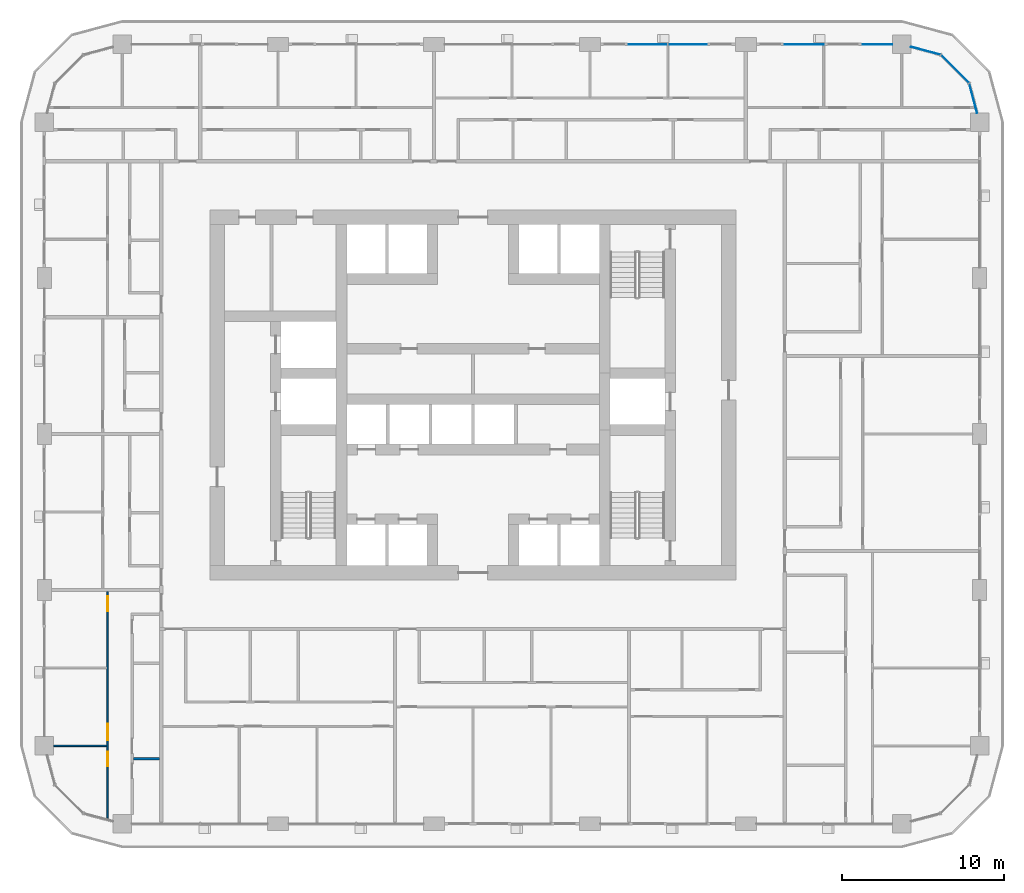
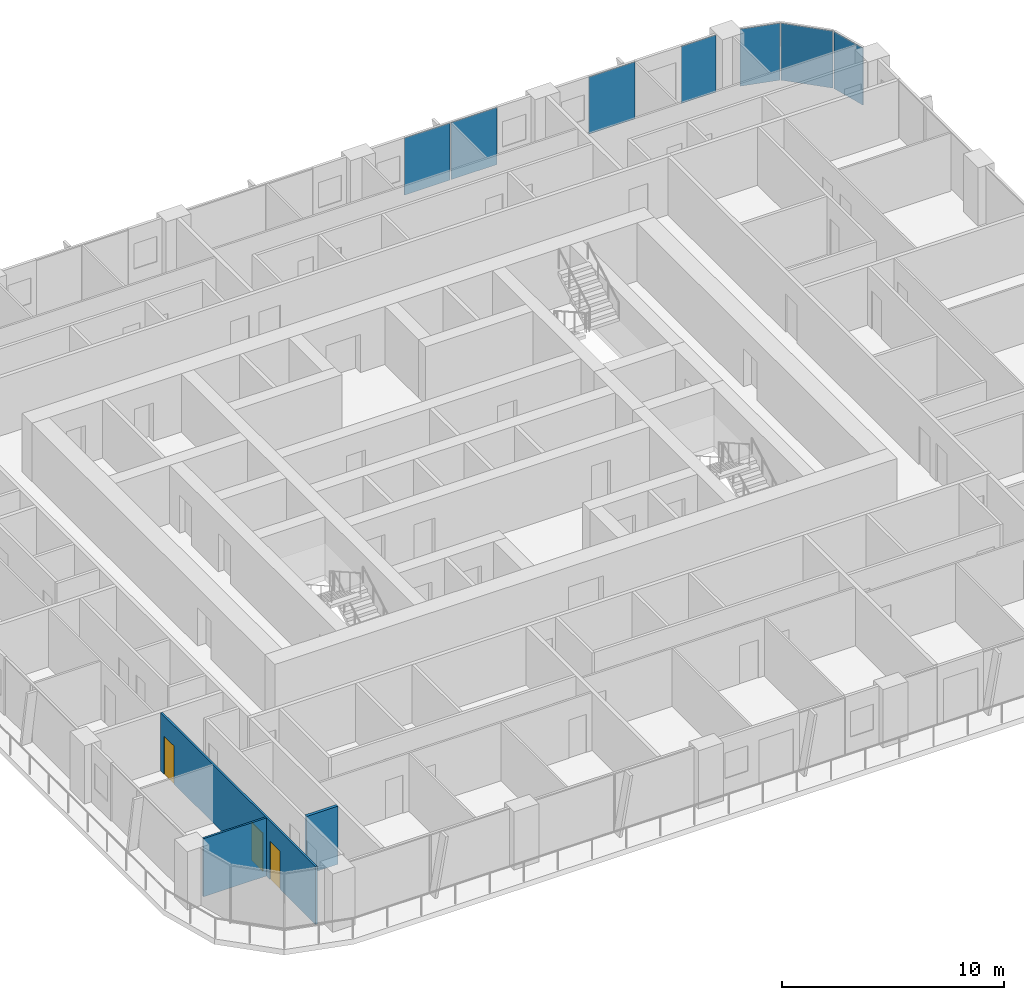
# One storey, part 8 of 22: 7 plates, 3 doors, 3 walls, 3 openings, 3 elements without a shape of their own.
"""IFC4 building model written with IfcOpenShell, lengths in metres."""

from ifc_helpers import new_model, si_unit, direction, frame, frame_2d, origin, origin_2d, place, context, subcontext, project, spatial, rectangle, extrude, material, layer, layer_set, type_object, element, fill, aggregate, save


model = new_model("IFC4")

# Units and contexts
model_context = context("Model", 3, precision=1e-05, world=origin(), true_north=direction((0.0, 1.0)))
body_context = subcontext(model_context, "Body", "Model", "MODEL_VIEW")
ifc_project = project(units=[si_unit("LENGTHUNIT", "METRE"), si_unit("AREAUNIT", "SQUARE_METRE"), si_unit("VOLUMEUNIT", "CUBIC_METRE"), si_unit("PLANEANGLEUNIT", "RADIAN"), si_unit("MASSUNIT", "GRAM", prefix="KILO")], contexts=[model_context])

# Site, building, storey
site_placement = place(None, origin())
site = spatial("IfcSite", under=ifc_project, at=site_placement, CompositionType="ELEMENT")
building_placement = place(site_placement, origin())
building = spatial("IfcBuilding", under=site, at=building_placement, Name="Madar Terraces", CompositionType="ELEMENT")
storey_placement = place(building_placement, frame((0.0, 0.0, 62.800048828125)))
storey = spatial("IfcBuildingStorey", under=building, at=storey_placement, Name="L15", CompositionType="ELEMENT", Elevation=62.800048828125)

# Curtain wall, plates
ifc_material_1 = material(Name="Glass, ceramic frit dark grey, with black aluminium frame", Category="aluminium")
ifc_layer_1 = layer(ifc_material_1, 0.199951171875)
ifc_layer_set_1 = layer_set([ifc_layer_1], Name="Facade curtain wall, fritted glass")
curtain_wall_type = type_object("IfcCurtainWallType", Name="Facade curtain wall, fritted glass", PredefinedType="NOTDEFINED", material=ifc_layer_set_1)
curtain_wall_1_placement = place(storey_placement, origin())
curtain_wall_1 = element("IfcCurtainWall", 1, at=curtain_wall_1_placement, inside=storey, type_object=curtain_wall_type, Name="Outer skin curtain wall north bay 1", PredefinedType="NOTDEFINED")
ifc_material_2 = material(Name="Glass, ceramic frit dark grey", Category="glass")
ifc_layer_2 = layer(ifc_material_2, 0.028076171875)
ifc_layer_set_2 = layer_set([ifc_layer_2], Name="Facade glass panel 28")
plate_type = type_object("IfcPlateType", Name="Facade glass panel 28", PredefinedType="CURTAIN_PANEL", material=ifc_layer_set_2)
plate_1_placement = place(storey_placement, frame((56.112548828125, 48.0, 0.0), z_axis=(0.0, 0.0, 1.0), x_axis=(-1.0, 0.0, 0.0)))
plate_1 = element("IfcPlate", 2, at=plate_1_placement, type_object=plate_type, Name="Panel 1", PredefinedType="CURTAIN_PANEL", context=body_context, shape_type="SweptSolid", body=[
    extrude(rectangle(XDim=1.824951171875, YDim=0.028076171875, at=origin_2d()), origin(), (0.0, 0.0, 1.0), 3.139892578125),
])
plate_2_placement = place(storey_placement, frame((51.60009765625, 48.0, 0.0), z_axis=(0.0, 0.0, 1.0), x_axis=(-1.0, 0.0, 0.0)))
plate_2 = element("IfcPlate", 3, at=plate_2_placement, type_object=plate_type, Name="Panel 2", PredefinedType="CURTAIN_PANEL", context=body_context, shape_type="SweptSolid", body=[
    extrude(rectangle(XDim=2.39990234375, YDim=0.028076171875, at=origin_2d()), origin(), (0.0, 0.0, 1.0), 3.139892578125),
])
aggregate(curtain_wall_1, [plate_1, plate_2])

curtain_wall_2_placement = place(storey_placement, origin())
curtain_wall_2 = element("IfcCurtainWall", 4, at=curtain_wall_2_placement, inside=storey, type_object=curtain_wall_type, Name="Outer skin curtain wall north bay 2", PredefinedType="NOTDEFINED")
plate_3_placement = place(storey_placement, frame((44.4150390625, 48.0, 0.0), z_axis=(0.0, 0.0, 1.0), x_axis=(-1.0, 0.0, 0.0)))
plate_3 = element("IfcPlate", 5, at=plate_3_placement, type_object=plate_type, Name="Panel 1", PredefinedType="CURTAIN_PANEL", context=body_context, shape_type="SweptSolid", body=[
    extrude(rectangle(XDim=2.3701171875, YDim=0.028076171875, at=origin_2d()), origin(), (0.0, 0.0, 1.0), 3.139892578125),
])
plate_4_placement = place(storey_placement, frame((41.985107421875, 48.0, 0.0), z_axis=(0.0, 0.0, 1.0), x_axis=(-1.0, 0.0, 0.0)))
plate_4 = element("IfcPlate", 6, at=plate_4_placement, type_object=plate_type, Name="Panel 2", PredefinedType="CURTAIN_PANEL", context=body_context, shape_type="SweptSolid", body=[
    extrude(rectangle(XDim=2.3701171875, YDim=0.028076171875, at=origin_2d()), origin(), (0.0, 0.0, 1.0), 3.139892578125),
])
aggregate(curtain_wall_2, [plate_3, plate_4])

curtain_wall_3_placement = place(storey_placement, origin())
curtain_wall_3 = element("IfcCurtainWall", 7, at=curtain_wall_3_placement, inside=storey, type_object=curtain_wall_type, Name="Outer skin curtain wall north-east corner", PredefinedType="NOTDEFINED")
plate_5_placement = place(storey_placement, frame((62.00537109375, 44.673095703125, 0.0), z_axis=(0.0, 0.0, 1.0), x_axis=(-0.258819021888, 0.965925832509, 0.0)))
plate_5 = element("IfcPlate", 8, at=plate_5_placement, type_object=plate_type, Name="Panel 1", PredefinedType="CURTAIN_PANEL", context=body_context, shape_type="SweptSolid", body=[
    extrude(rectangle(XDim=1.859375, YDim=0.028076171875, at=origin_2d()), origin(), (0.0, 0.0, 1.0), 3.139892578125),
])
plate_6_placement = place(storey_placement, frame((60.87841796875, 46.478515625, 0.0), z_axis=(0.0, 0.0, 1.0), x_axis=(-0.707106781187, 0.707106781187, 0.0)))
plate_6 = element("IfcPlate", 9, at=plate_6_placement, type_object=plate_type, Name="Panel 2", PredefinedType="CURTAIN_PANEL", context=body_context, shape_type="SweptSolid", body=[
    extrude(rectangle(XDim=2.424560546875, YDim=0.028076171875, at=origin_2d()), origin(), (0.0, 0.0, 1.0), 3.139892578125),
])
plate_7_placement = place(storey_placement, frame((59.072998046875, 47.605224609375, 0.0), z_axis=(0.0, 0.0, 1.0), x_axis=(-0.965925832509, 0.258819021888, 0.0)))
plate_7 = element("IfcPlate", 10, at=plate_7_placement, type_object=plate_type, Name="Panel 3", PredefinedType="CURTAIN_PANEL", context=body_context, shape_type="SweptSolid", body=[
    extrude(rectangle(XDim=1.859375, YDim=0.028076171875, at=origin_2d()), origin(), (0.0, 0.0, 1.0), 3.139892578125),
])
aggregate(curtain_wall_3, [plate_5, plate_6, plate_7])

# Wall
ifc_material_3 = material(Name="Gypsum board on steel studs", Category="steel")
ifc_layer_3 = layer(ifc_material_3, 0.10009765625)
ifc_layer_set_3 = layer_set([ifc_layer_3], Name="Flat partition 100")
wall_type_1 = type_object("IfcWallType", Name="Flat partition 100", PredefinedType="PARTITIONING", material=ifc_layer_set_3)
wall_1_placement = place(storey_placement, frame((8.64990234375, 4.800048828125, 0.0), z_axis=(0.0, 0.0, 1.0), x_axis=(-1.0, 0.0, 0.0)))
element("IfcWall", 11, at=wall_1_placement, inside=storey, type_object=wall_type_1, Name="Flat partition 100", PredefinedType="PARTITIONING", context=body_context, shape_type="SweptSolid", body=[
    extrude(rectangle(XDim=3.27490234375, YDim=0.10009765625, at=frame_2d((1.637451171875, 0.0))), origin(), (0.0, 0.0, 1.0), 3.199951171875),
])

# Wall, openings, doors
wall_2_placement = place(storey_placement, frame((8.699951171875, 0.34130859375, 0.0), z_axis=(0.0, 0.0, 1.0), x_axis=(0.0, 1.0, 0.0)))
wall_2 = element("IfcWall", 12, at=wall_2_placement, inside=storey, type_object=wall_type_1, Name="Flat partition 100", PredefinedType="PARTITIONING", context=body_context, shape_type="SweptSolid", body=[
    extrude(rectangle(XDim=13.958740234375, YDim=0.10009765625, at=frame_2d((6.9794921875, 0.0))), origin(), (0.0, 0.0, 1.0), 3.199951171875),
])
opening_1_placement = place(wall_2_placement, frame((12.7587890625, 0.0, 0.0)))
opening_1 = element("IfcOpeningElement", 13, at=opening_1_placement, cuts=wall_2, Name="Opening D2", PredefinedType="OPENING", context=body_context, shape_type="SweptSolid", body=[
    extrude(rectangle(XDim=0.89990234375, YDim=2.10009765625, at=frame_2d((0.449951171875, 1.050048828125))), frame((0.0, 0.06005859375, 0.0), z_axis=(0.0, -1.0, 0.0), x_axis=(1.0, 0.0, 0.0)), (0.0, 0.0, 1.0), 0.1201171875),
])
opening_2_placement = place(wall_2_placement, frame((4.808837890625, 0.0, 0.0)))
opening_2 = element("IfcOpeningElement", 14, at=opening_2_placement, cuts=wall_2, Name="Opening D3", PredefinedType="OPENING", context=body_context, shape_type="SweptSolid", body=[
    extrude(rectangle(XDim=1.0, YDim=2.10009765625, at=frame_2d((0.5, 1.050048828125))), frame((0.0, 0.06005859375, 0.0), z_axis=(0.0, -1.0, 0.0), x_axis=(1.0, 0.0, 0.0)), (0.0, 0.0, 1.0), 0.1201171875),
])
opening_3_placement = place(wall_2_placement, frame((3.208740234375, 0.0, 0.0)))
opening_3 = element("IfcOpeningElement", 15, at=opening_3_placement, cuts=wall_2, Name="Opening D2", PredefinedType="OPENING", context=body_context, shape_type="SweptSolid", body=[
    extrude(rectangle(XDim=0.89990234375, YDim=2.10009765625, at=frame_2d((0.449951171875, 1.050048828125))), frame((0.0, 0.06005859375, 0.0), z_axis=(0.0, -1.0, 0.0), x_axis=(1.0, 0.0, 0.0)), (0.0, 0.0, 1.0), 0.1201171875),
])
ifc_material_4 = material(Name="Timber door leaf", Category="wood")
door_type_1 = type_object("IfcDoorType", Name="Flat living room door 1000", OperationType="NOTDEFINED", PredefinedType="DOOR", material=ifc_material_4)
door_1_placement = place(opening_2_placement, origin())
door_1 = element("IfcDoor", 16, at=door_1_placement, inside=storey, type_object=door_type_1, Name="Flat living room door 1000", OperationType="SINGLE_SWING_LEFT", OverallHeight=2.10009765625, OverallWidth=1.0, PredefinedType="DOOR", context=body_context, shape_type="SweptSolid", body=[
    extrude(rectangle(XDim=1.0, YDim=2.10009765625, at=frame_2d((0.5, 1.050048828125))), frame((0.0, 0.02490234375, 0.0), z_axis=(0.0, -1.0, 0.0), x_axis=(1.0, 0.0, 0.0)), (0.0, 0.0, 1.0), 0.050048828125),
])
fill(opening_2, door_1)
ifc_material_5 = material(Name="Timber door leaf", Category="wood")
door_type_2 = type_object("IfcDoorType", Name="Flat room door 900", OperationType="NOTDEFINED", PredefinedType="DOOR", material=ifc_material_5)
door_2_placement = place(opening_1_placement, origin())
door_2 = element("IfcDoor", 17, at=door_2_placement, inside=storey, type_object=door_type_2, Name="Flat room door 900", OperationType="SINGLE_SWING_RIGHT", OverallHeight=2.10009765625, OverallWidth=0.89990234375, PredefinedType="DOOR", context=body_context, shape_type="SweptSolid", body=[
    extrude(rectangle(XDim=0.89990234375, YDim=2.10009765625, at=frame_2d((0.449951171875, 1.050048828125))), frame((0.0, 0.02490234375, 0.0), z_axis=(0.0, -1.0, 0.0), x_axis=(1.0, 0.0, 0.0)), (0.0, 0.0, 1.0), 0.050048828125),
])
fill(opening_1, door_2)
door_3_placement = place(opening_3_placement, origin())
door_3 = element("IfcDoor", 18, at=door_3_placement, inside=storey, type_object=door_type_2, Name="Flat room door 900", OperationType="SINGLE_SWING_RIGHT", OverallHeight=2.10009765625, OverallWidth=0.89990234375, PredefinedType="DOOR", context=body_context, shape_type="SweptSolid", body=[
    extrude(rectangle(XDim=0.89990234375, YDim=2.10009765625, at=frame_2d((0.449951171875, 1.050048828125))), frame((0.0, 0.02490234375, 0.0), z_axis=(0.0, -1.0, 0.0), x_axis=(1.0, 0.0, 0.0)), (0.0, 0.0, 1.0), 0.050048828125),
])
fill(opening_3, door_3)

# Wall
ifc_material_6 = material(Name="Lightweight blockwork", Category="masonry")
ifc_layer_4 = layer(ifc_material_6, 0.14990234375)
ifc_layer_set_4 = layer_set([ifc_layer_4], Name="Flat wet-room partition 150")
wall_type_2 = type_object("IfcWallType", Name="Flat wet-room partition 150", PredefinedType="PARTITIONING", material=ifc_layer_set_4)
wall_3_placement = place(storey_placement, frame((11.89990234375, 4.015380859375, 0.0), z_axis=(0.0, 0.0, 1.0), x_axis=(-1.0, 0.0, 0.0)))
element("IfcWall", 19, at=wall_3_placement, inside=storey, type_object=wall_type_2, Name="Flat wet-room partition 150", PredefinedType="PARTITIONING", context=body_context, shape_type="SweptSolid", body=[
    extrude(rectangle(XDim=1.625, YDim=0.14990234375, at=frame_2d((0.8125, 0.0))), origin(), (0.0, 0.0, 1.0), 3.199951171875),
])

save(model, "model.ifc")
